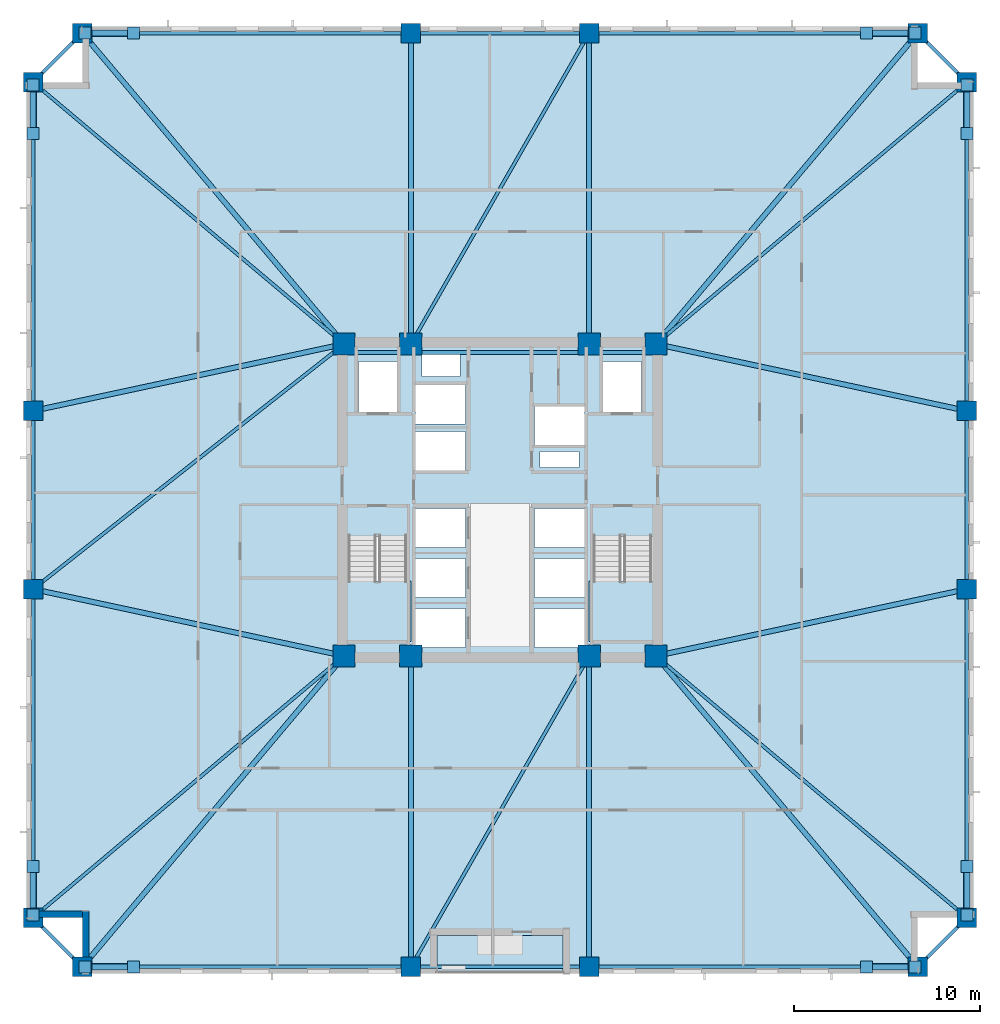
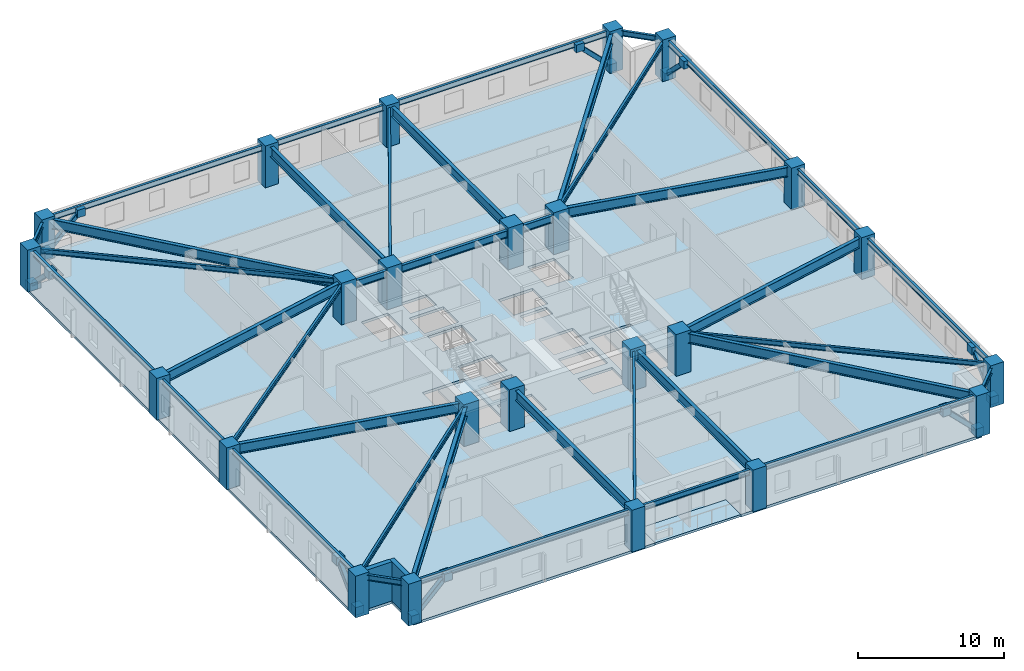
# One storey, part 1 of 11: 38 beams, 24 columns, 16 plates, 8 members, 4 slabs, 2 walls, 2 elements without a shape of their own.
"""IFC4 building model written with IfcOpenShell, lengths in metres."""

from ifc_helpers import new_model, si_unit, direction, frame, frame_2d, origin, origin_2d, place, context, subcontext, project, spatial, polyline, rectangle, hollow_rectangle, i_section, outline, extrude, material, layer, layer_set, material_profile, profile_set, type_object, element, aggregate, save


model = new_model("IFC4")

# Units and contexts
model_context = context("Model", 3, precision=1e-05, world=origin(), true_north=direction((0.0, 1.0)))
body_context = subcontext(model_context, "Body", "Model", "MODEL_VIEW")
ifc_project = project(units=[si_unit("LENGTHUNIT", "METRE"), si_unit("AREAUNIT", "SQUARE_METRE"), si_unit("VOLUMEUNIT", "CUBIC_METRE"), si_unit("PLANEANGLEUNIT", "RADIAN"), si_unit("MASSUNIT", "GRAM", prefix="KILO")], contexts=[model_context])

# Site, building, storey
site_placement = place(None, origin())
site = spatial("IfcSite", under=ifc_project, at=site_placement, CompositionType="ELEMENT")
building_placement = place(site_placement, origin())
building = spatial("IfcBuilding", under=site, at=building_placement, Name="Cairnveth Concourse Tower", CompositionType="ELEMENT")
storey_placement = place(building_placement, frame((0.0, 0.0, 37.5)))
storey = spatial("IfcBuildingStorey", under=building, at=storey_placement, Name="L09", CompositionType="ELEMENT", Elevation=37.5)

# Columns
ifc_material_1 = material(Name="Concrete N80 (80 MPa)", Category="concrete")
ifc_material_profile_1 = material_profile(ifc_material_1, rectangle(XDim=1.199951171875, YDim=1.199951171875, at=origin_2d()), Name="RC-COL-1200x1200")
ifc_profile_set_1 = profile_set([ifc_material_profile_1], Name="Concrete N80 (80 MPa)")
column_type_1 = type_object("IfcColumnType", Name="CORE COLUMN 1200X1200", PredefinedType="COLUMN", material=ifc_profile_set_1)
for number, where, z_axis, x_axis, name in (
    (1, (43.60009765625, 30.60009765625, 0.0), (0.0, 0.0, 1.0), (1.0, 0.0, 0.0), "Column CC1 L09"),
    (2, (47.199951171875, 30.60009765625, 0.0), (0.0, 0.0, 1.0), (1.0, 0.0, 0.0), "Column CC2 L09"),
    (3, (56.800048828125, 30.60009765625, 0.0), (0.0, 0.0, 1.0), (1.0, 0.0, 0.0), "Column CC3 L09"),
    (4, (60.39990234375, 30.60009765625, 0.0), (0.0, 0.0, 1.0), (1.0, 0.0, 0.0), "Column CC4 L09"),
    (5, (43.60009765625, 47.39990234375, 0.0), (0.0, 0.0, 1.0), (1.0, 0.0, 0.0), "Column CC5 L09"),
    (6, (47.199951171875, 47.39990234375, 0.0), (0.0, 0.0, 1.0), (1.0, 0.0, 0.0), "Column CC6 L09"),
    (7, (56.800048828125, 47.39990234375, 0.0), (0.0, 0.0, 1.0), (1.0, 0.0, 0.0), "Column CC7 L09"),
    (8, (60.39990234375, 47.39990234375, 0.0), (0.0, 0.0, 1.0), (1.0, 0.0, 0.0), "Column CC8 L09"),
):
    element("IfcColumn", number, at=place(storey_placement, frame(where, z_axis=z_axis, x_axis=x_axis)), inside=storey, type_object=column_type_1, Name=name, PredefinedType="COLUMN", context=body_context, shape_type="SweptSolid", body=[
        extrude(rectangle(XDim=1.199951171875, YDim=1.199951171875, at=origin_2d()), origin(), (0.0, 0.0, 1.0), 3.5),
    ])
ifc_material_2 = material(Name="Concrete N65 (65 MPa)", Category="concrete")
ifc_material_profile_2 = material_profile(ifc_material_2, rectangle(XDim=1.050048828125, YDim=1.050048828125, at=origin_2d()), Name="RC-COL-1050x1050")
ifc_profile_set_2 = profile_set([ifc_material_profile_2], Name="Concrete N65 (65 MPa)")
column_type_2 = type_object("IfcColumnType", Name="PERIMETER PIER COLUMN 1050X1050", PredefinedType="COLUMN", material=ifc_profile_set_2)
for number, where, z_axis, x_axis, name in (
    (9, (29.5, 13.85009765625, 0.0), (0.0, 0.0, 1.0), (1.0, 0.0, 0.0), "Column P-S1 L09"),
    (10, (47.199951171875, 13.85009765625, 0.0), (0.0, 0.0, 1.0), (1.0, 0.0, 0.0), "Column P-S2 L09"),
    (11, (56.800048828125, 13.85009765625, 0.0), (0.0, 0.0, 1.0), (1.0, 0.0, 0.0), "Column P-S3 L09"),
    (12, (74.5, 13.85009765625, 0.0), (0.0, 0.0, 1.0), (1.0, 0.0, 0.0), "Column P-S4 L09"),
    (13, (77.14990234375, 16.5, 0.0), (0.0, 0.0, 1.0), (0.0, 1.0, 0.0), "Column P-E1 L09"),
    (14, (77.14990234375, 34.199951171875, 0.0), (0.0, 0.0, 1.0), (0.0, 1.0, 0.0), "Column P-E2 L09"),
    (15, (77.14990234375, 43.800048828125, 0.0), (0.0, 0.0, 1.0), (0.0, 1.0, 0.0), "Column P-E3 L09"),
    (16, (77.14990234375, 61.5, 0.0), (0.0, 0.0, 1.0), (0.0, 1.0, 0.0), "Column P-E4 L09"),
    (17, (74.5, 64.14990234375, 0.0), (0.0, 0.0, 1.0), (1.0, 0.0, 0.0), "Column P-N1 L09"),
    (18, (56.800048828125, 64.14990234375, 0.0), (0.0, 0.0, 1.0), (1.0, 0.0, 0.0), "Column P-N2 L09"),
    (19, (47.199951171875, 64.14990234375, 0.0), (0.0, 0.0, 1.0), (1.0, 0.0, 0.0), "Column P-N3 L09"),
    (20, (29.5, 64.14990234375, 0.0), (0.0, 0.0, 1.0), (1.0, 0.0, 0.0), "Column P-N4 L09"),
    (21, (26.85009765625, 61.5, 0.0), (0.0, 0.0, 1.0), (0.0, 1.0, 0.0), "Column P-W1 L09"),
    (22, (26.85009765625, 43.800048828125, 0.0), (0.0, 0.0, 1.0), (0.0, 1.0, 0.0), "Column P-W2 L09"),
    (23, (26.85009765625, 34.199951171875, 0.0), (0.0, 0.0, 1.0), (0.0, 1.0, 0.0), "Column P-W3 L09"),
    (24, (26.85009765625, 16.5, 0.0), (0.0, 0.0, 1.0), (0.0, 1.0, 0.0), "Column P-W4 L09"),
):
    element("IfcColumn", number, at=place(storey_placement, frame(where, z_axis=z_axis, x_axis=x_axis)), inside=storey, type_object=column_type_2, Name=name, PredefinedType="COLUMN", context=body_context, shape_type="SweptSolid", body=[
        extrude(rectangle(XDim=1.050048828125, YDim=1.050048828125, at=origin_2d()), origin(), (0.0, 0.0, 1.0), 3.5),
    ])

# Beams
ifc_material_3 = material(Name="Steel Grade 350", Category="steel")
ifc_material_profile_3 = material_profile(ifc_material_3, i_section(OverallWidth=0.22802734375, OverallDepth=0.60693359375, WebThickness=0.01123046875, FlangeThickness=0.017333984375, FilletRadius=0.013916015625, at=origin_2d()), Name="610UB113")
ifc_profile_set_3 = profile_set([ifc_material_profile_3], Name="Steel Grade 350")
beam_type_1 = type_object("IfcBeamType", Name="CORE TIE BEAM 610UB113", PredefinedType="T_BEAM", material=ifc_profile_set_3)
for number, where, z_axis, x_axis, name in (
    (25, (43.60009765625, 46.949951171875, 2.9765625), (1.0, 0.0, 0.0), (0.0, 1.0, 0.0), "Beam CT-N1 L09"),
    (26, (56.800048828125, 46.949951171875, 2.9765625), (1.0, 0.0, 0.0), (0.0, 1.0, 0.0), "Beam CT-N3 L09"),
):
    element("IfcBeam", number, at=place(storey_placement, frame(where, z_axis=z_axis, x_axis=x_axis)), inside=storey, type_object=beam_type_1, Name=name, PredefinedType="T_BEAM", context=body_context, shape_type="SweptSolid", body=[
        extrude(i_section(OverallWidth=0.22802734375, OverallDepth=0.60693359375, WebThickness=0.01123046875, FlangeThickness=0.017333984375, FilletRadius=0.013916015625, at=origin_2d()), origin(), (0.0, 0.0, 1.0), 3.599853515625),
    ])
beam_1_placement = place(storey_placement, frame((47.199951171875, 46.949951171875, 2.9765625), z_axis=(1.0, 0.0, 0.0), x_axis=(0.0, 1.0, 0.0)))
element("IfcBeam", 27, at=beam_1_placement, inside=storey, type_object=beam_type_1, Name="Beam CT-N2 L09", PredefinedType="T_BEAM", context=body_context, shape_type="SweptSolid", body=[
    extrude(i_section(OverallWidth=0.22802734375, OverallDepth=0.60693359375, WebThickness=0.01123046875, FlangeThickness=0.017333984375, FilletRadius=0.013916015625, at=origin_2d()), origin(), (0.0, 0.0, 1.0), 9.60009765625),
])
ifc_material_profile_4 = material_profile(ifc_material_3, i_section(OverallWidth=0.177978515625, OverallDepth=0.406005859375, WebThickness=0.0078125, FlangeThickness=0.0126953125, FilletRadius=0.010986328125, at=origin_2d()), Name="410UB59.7")
ifc_profile_set_4 = profile_set([ifc_material_profile_4], Name="Steel Grade 350")
beam_type_2 = type_object("IfcBeamType", Name="ZONE 1 FLOOR JOIST 410UB59.7", PredefinedType="JOIST", material=ifc_profile_set_4)
for number, where, z_axis, x_axis, name in (
    (28, (26.85009765625, 16.5, 3.076904296875), (0.765027427674, 0.643997697905, 0.0), (-0.643997697905, 0.765027427674, 0.0), "Beam FJ-CSW2 L09"),
    (29, (77.14990234375, 16.5, 3.076904296875), (-0.765027427674, 0.643997697905, 0.0), (-0.643997697905, -0.765027427674, 0.0), "Beam FJ-CSE2 L09"),
    (30, (77.14990234375, 61.5, 3.076904296875), (-0.765027427674, -0.643997697905, 0.0), (0.643997697905, -0.765027427674, 0.0), "Beam FJ-CNE2 L09"),
    (31, (26.85009765625, 61.5, 3.076904296875), (0.765027427674, -0.643997697905, 0.0), (0.643997697905, 0.765027427674, 0.0), "Beam FJ-CNW2 L09"),
):
    element("IfcBeam", number, at=place(storey_placement, frame(where, z_axis=z_axis, x_axis=x_axis)), inside=storey, type_object=beam_type_2, Name=name, PredefinedType="JOIST", context=body_context, shape_type="SweptSolid", body=[
        extrude(i_section(OverallWidth=0.177978515625, OverallDepth=0.406005859375, WebThickness=0.0078125, FlangeThickness=0.0126953125, FilletRadius=0.010986328125, at=origin_2d()), origin(), (0.0, 0.0, 1.0), 21.89453125),
    ])
for number, where, z_axis, x_axis, name in (
    (32, (47.199951171875, 13.85009765625, 3.076904296875), (0.497257970706, 0.86760273776, 0.0), (-0.86760273776, 0.497257970706, 0.0), "Beam FJ-S-M1 L09"),
    (33, (47.199951171875, 47.39990234375, 3.076904296875), (0.497257970706, 0.86760273776, 0.0), (-0.86760273776, 0.497257970706, 0.0), "Beam FJ-N-M1 L09"),
):
    element("IfcBeam", number, at=place(storey_placement, frame(where, z_axis=z_axis, x_axis=x_axis)), inside=storey, type_object=beam_type_2, Name=name, PredefinedType="JOIST", context=body_context, shape_type="SweptSolid", body=[
        extrude(i_section(OverallWidth=0.177978515625, OverallDepth=0.406005859375, WebThickness=0.0078125, FlangeThickness=0.0126953125, FilletRadius=0.010986328125, at=origin_2d()), origin(), (0.0, 0.0, 1.0), 19.30615234375),
    ])
beam_2_placement = place(storey_placement, frame((26.85009765625, 34.199951171875, 3.076904296875), z_axis=(0.785423705995, 0.618958481694, 0.0), x_axis=(-0.618958481694, 0.785423705995, 0.0)))
element("IfcBeam", 34, at=beam_2_placement, inside=storey, type_object=beam_type_2, Name="Beam FJ-W-M1 L09", PredefinedType="JOIST", context=body_context, shape_type="SweptSolid", body=[
    extrude(i_section(OverallWidth=0.177978515625, OverallDepth=0.406005859375, WebThickness=0.0078125, FlangeThickness=0.0126953125, FilletRadius=0.010986328125, at=origin_2d()), origin(), (0.0, 0.0, 1.0), 21.326171875),
])

# Members
ifc_material_4 = material(Name="Steel C350L0 (350 MPa)", Category="steel")
ifc_material_profile_5 = material_profile(ifc_material_4, hollow_rectangle(XDim=0.35009765625, YDim=0.35009765625, WallThickness=0.01611328125, InnerFilletRadius=0.01611328125, OuterFilletRadius=0.031982421875, at=origin_2d()), Name="350x350x16.0SHS")
ifc_profile_set_5 = profile_set([ifc_material_profile_5], Name="Steel C350L0 (350 MPa)")
member_type = type_object("IfcMemberType", Name="ZONE 1 PIER BRACE 350X350X16SHS", PredefinedType="BRACE", material=ifc_profile_set_5)
for number, where, z_axis, x_axis, name in (
    (35, (29.64990234375, 13.85009765625, 0.25), (0.709834195787, 0.0, 0.704368805735), (0.0, 1.0, 0.0), "Structural Brace PB-S1 L09"),
    (36, (74.35009765625, 13.85009765625, 0.25), (-0.709834195787, 0.0, 0.704368805735), (0.0, -1.0, 0.0), "Structural Brace PB-S2 L09"),
    (37, (29.64990234375, 64.14990234375, 0.25), (0.709834195787, 0.0, 0.704368805735), (0.0, 1.0, 0.0), "Structural Brace PB-N1 L09"),
    (38, (74.35009765625, 64.14990234375, 0.25), (-0.709834195787, 0.0, 0.704368805735), (0.0, -1.0, 0.0), "Structural Brace PB-N2 L09"),
    (39, (26.85009765625, 16.64990234375, 0.25), (0.0, 0.709834195787, 0.704368805735), (-1.0, 0.0, 0.0), "Structural Brace PB-W1 L09"),
    (40, (26.85009765625, 61.35009765625, 0.25), (0.0, -0.709834195787, 0.704368805735), (1.0, 0.0, 0.0), "Structural Brace PB-W2 L09"),
    (41, (77.14990234375, 16.64990234375, 0.25), (0.0, 0.709834195787, 0.704368805735), (-1.0, 0.0, 0.0), "Structural Brace PB-E1 L09"),
    (42, (77.14990234375, 61.35009765625, 0.25), (0.0, -0.709834195787, 0.704368805735), (1.0, 0.0, 0.0), "Structural Brace PB-E2 L09"),
):
    element("IfcMember", number, at=place(storey_placement, frame(where, z_axis=z_axis, x_axis=x_axis)), inside=storey, type_object=member_type, Name=name, PredefinedType="BRACE", context=body_context, shape_type="SweptSolid", body=[
        extrude(hollow_rectangle(XDim=0.35009765625, YDim=0.35009765625, WallThickness=0.01611328125, InnerFilletRadius=0.01611328125, OuterFilletRadius=0.031982421875, at=origin_2d()), origin(), (0.0, 0.0, 1.0), 3.6630859375),
    ])

# Beams
ifc_material_profile_6 = material_profile(ifc_material_3, i_section(OverallWidth=0.27490234375, OverallDepth=0.81591796875, WebThickness=0.011962890625, FlangeThickness=0.028076171875, at=origin_2d()), Name="800WB192")
ifc_profile_set_6 = profile_set([ifc_material_profile_6], Name="Steel Grade 350")
beam_type_3 = type_object("IfcBeamType", Name="ZONE 1 RADIAL GIRDER 800WB192", PredefinedType="BEAM", material=ifc_profile_set_6)
for number, where, z_axis, x_axis, name in (
    (43, (47.199951171875, 13.85009765625, 2.8720703125), (0.0, 1.0, 0.0), (-1.0, 0.0, 0.0), "Beam RG-S1 L09"),
    (44, (56.800048828125, 13.85009765625, 2.8720703125), (0.0, 1.0, 0.0), (-1.0, 0.0, 0.0), "Beam RG-S2 L09"),
    (45, (47.199951171875, 47.39990234375, 2.8720703125), (0.0, 1.0, 0.0), (-1.0, 0.0, 0.0), "Beam RG-N1 L09"),
    (46, (56.800048828125, 47.39990234375, 2.8720703125), (0.0, 1.0, 0.0), (-1.0, 0.0, 0.0), "Beam RG-N2 L09"),
):
    element("IfcBeam", number, at=place(storey_placement, frame(where, z_axis=z_axis, x_axis=x_axis)), inside=storey, type_object=beam_type_3, Name=name, PredefinedType="BEAM", context=body_context, shape_type="SweptSolid", body=[
        extrude(i_section(OverallWidth=0.27490234375, OverallDepth=0.81591796875, WebThickness=0.011962890625, FlangeThickness=0.028076171875, at=origin_2d()), origin(), (0.0, 0.0, 1.0), 16.75),
    ])
for number, where, z_axis, x_axis, name in (
    (47, (26.85009765625, 34.199951171875, 2.8720703125), (0.977675861524, -0.210118799239, 0.0), (0.210118799239, 0.977675861524, 0.0), "Beam RG-W1 L09"),
    (48, (26.85009765625, 43.800048828125, 2.8720703125), (0.977675861524, 0.210118799239, 0.0), (-0.210118799239, 0.977675861524, 0.0), "Beam RG-W2 L09"),
    (49, (60.39990234375, 30.60009765625, 2.8720703125), (0.977675861524, 0.210118799239, 0.0), (-0.210118799239, 0.977675861524, 0.0), "Beam RG-E1 L09"),
    (50, (60.39990234375, 47.39990234375, 2.8720703125), (0.977675861524, -0.210118799239, 0.0), (0.210118799239, 0.977675861524, 0.0), "Beam RG-E2 L09"),
):
    element("IfcBeam", number, at=place(storey_placement, frame(where, z_axis=z_axis, x_axis=x_axis)), inside=storey, type_object=beam_type_3, Name=name, PredefinedType="BEAM", context=body_context, shape_type="SweptSolid", body=[
        extrude(i_section(OverallWidth=0.27490234375, OverallDepth=0.81591796875, WebThickness=0.011962890625, FlangeThickness=0.028076171875, at=origin_2d()), origin(), (0.0, 0.0, 1.0), 17.132568359375),
    ])
for number, where, z_axis, x_axis, name in (
    (51, (29.5, 13.85009765625, 2.8720703125), (0.643997697905, 0.765027427674, 0.0), (-0.765027427674, 0.643997697905, 0.0), "Beam RG-CSW L09"),
    (52, (74.5, 13.85009765625, 2.8720703125), (-0.643997697905, 0.765027427674, 0.0), (-0.765027427674, -0.643997697905, 0.0), "Beam RG-CSE L09"),
    (53, (74.5, 64.14990234375, 2.8720703125), (-0.643997697905, -0.765027427674, 0.0), (0.765027427674, -0.643997697905, 0.0), "Beam RG-CNE L09"),
    (54, (29.5, 64.14990234375, 2.8720703125), (0.643997697905, -0.765027427674, 0.0), (0.765027427674, 0.643997697905, 0.0), "Beam RG-CNW L09"),
):
    element("IfcBeam", number, at=place(storey_placement, frame(where, z_axis=z_axis, x_axis=x_axis)), inside=storey, type_object=beam_type_3, Name=name, PredefinedType="BEAM", context=body_context, shape_type="SweptSolid", body=[
        extrude(i_section(OverallWidth=0.27490234375, OverallDepth=0.81591796875, WebThickness=0.011962890625, FlangeThickness=0.028076171875, at=origin_2d()), origin(), (0.0, 0.0, 1.0), 21.89453125),
    ])
ifc_material_profile_7 = material_profile(ifc_material_3, i_section(OverallWidth=0.19091796875, OverallDepth=0.4599609375, WebThickness=0.010009765625, FlangeThickness=0.01611328125, FilletRadius=0.010986328125, at=origin_2d()), Name="460UB82.1")
ifc_profile_set_7 = profile_set([ifc_material_profile_7], Name="Steel Grade 350")
beam_type_4 = type_object("IfcBeamType", Name="ZONE 1 SPANDREL BEAM 460UB82.1", PredefinedType="SPANDREL", material=ifc_profile_set_7)
beam_3_placement = place(storey_placement, frame((29.5, 13.85009765625, 3.050048828125), z_axis=(1.0, 0.0, 0.0), x_axis=(0.0, 1.0, 0.0)))
element("IfcBeam", 55, at=beam_3_placement, inside=storey, type_object=beam_type_4, Name="Beam SP-S1 L09", PredefinedType="SPANDREL", context=body_context, shape_type="SweptSolid", body=[
    extrude(i_section(OverallWidth=0.19091796875, OverallDepth=0.4599609375, WebThickness=0.010009765625, FlangeThickness=0.01611328125, FilletRadius=0.010986328125, at=origin_2d()), origin(), (0.0, 0.0, 1.0), 17.699951171875),
])
beam_4_placement = place(storey_placement, frame((47.199951171875, 13.85009765625, 3.050048828125), z_axis=(1.0, 0.0, 0.0), x_axis=(0.0, 1.0, 0.0)))
element("IfcBeam", 56, at=beam_4_placement, inside=storey, type_object=beam_type_4, Name="Beam SP-S2 L09", PredefinedType="SPANDREL", context=body_context, shape_type="SweptSolid", body=[
    extrude(i_section(OverallWidth=0.19091796875, OverallDepth=0.4599609375, WebThickness=0.010009765625, FlangeThickness=0.01611328125, FilletRadius=0.010986328125, at=origin_2d()), origin(), (0.0, 0.0, 1.0), 9.60009765625),
])
for number, where, z_axis, x_axis, name in (
    (57, (56.800048828125, 13.85009765625, 3.050048828125), (1.0, 0.0, 0.0), (0.0, 1.0, 0.0), "Beam SP-S3 L09"),
    (58, (29.5, 64.14990234375, 3.050048828125), (1.0, 0.0, 0.0), (0.0, 1.0, 0.0), "Beam SP-N1 L09"),
):
    element("IfcBeam", number, at=place(storey_placement, frame(where, z_axis=z_axis, x_axis=x_axis)), inside=storey, type_object=beam_type_4, Name=name, PredefinedType="SPANDREL", context=body_context, shape_type="SweptSolid", body=[
        extrude(i_section(OverallWidth=0.19091796875, OverallDepth=0.4599609375, WebThickness=0.010009765625, FlangeThickness=0.01611328125, FilletRadius=0.010986328125, at=origin_2d()), origin(), (0.0, 0.0, 1.0), 17.699951171875),
    ])
beam_5_placement = place(storey_placement, frame((47.199951171875, 64.14990234375, 3.050048828125), z_axis=(1.0, 0.0, 0.0), x_axis=(0.0, 1.0, 0.0)))
element("IfcBeam", 59, at=beam_5_placement, inside=storey, type_object=beam_type_4, Name="Beam SP-N2 L09", PredefinedType="SPANDREL", context=body_context, shape_type="SweptSolid", body=[
    extrude(i_section(OverallWidth=0.19091796875, OverallDepth=0.4599609375, WebThickness=0.010009765625, FlangeThickness=0.01611328125, FilletRadius=0.010986328125, at=origin_2d()), origin(), (0.0, 0.0, 1.0), 9.60009765625),
])
for number, where, z_axis, x_axis, name in (
    (60, (56.800048828125, 64.14990234375, 3.050048828125), (1.0, 0.0, 0.0), (0.0, 1.0, 0.0), "Beam SP-N3 L09"),
    (61, (26.85009765625, 16.5, 3.050048828125), (0.0, 1.0, 0.0), (-1.0, 0.0, 0.0), "Beam SP-W1 L09"),
):
    element("IfcBeam", number, at=place(storey_placement, frame(where, z_axis=z_axis, x_axis=x_axis)), inside=storey, type_object=beam_type_4, Name=name, PredefinedType="SPANDREL", context=body_context, shape_type="SweptSolid", body=[
        extrude(i_section(OverallWidth=0.19091796875, OverallDepth=0.4599609375, WebThickness=0.010009765625, FlangeThickness=0.01611328125, FilletRadius=0.010986328125, at=origin_2d()), origin(), (0.0, 0.0, 1.0), 17.699951171875),
    ])
beam_6_placement = place(storey_placement, frame((26.85009765625, 34.199951171875, 3.050048828125), z_axis=(0.0, 1.0, 0.0), x_axis=(-1.0, 0.0, 0.0)))
element("IfcBeam", 62, at=beam_6_placement, inside=storey, type_object=beam_type_4, Name="Beam SP-W2 L09", PredefinedType="SPANDREL", context=body_context, shape_type="SweptSolid", body=[
    extrude(i_section(OverallWidth=0.19091796875, OverallDepth=0.4599609375, WebThickness=0.010009765625, FlangeThickness=0.01611328125, FilletRadius=0.010986328125, at=origin_2d()), origin(), (0.0, 0.0, 1.0), 9.60009765625),
])
for number, where, z_axis, x_axis, name in (
    (63, (26.85009765625, 43.800048828125, 3.050048828125), (0.0, 1.0, 0.0), (-1.0, 0.0, 0.0), "Beam SP-W3 L09"),
    (64, (77.14990234375, 16.5, 3.050048828125), (0.0, 1.0, 0.0), (-1.0, 0.0, 0.0), "Beam SP-E1 L09"),
):
    element("IfcBeam", number, at=place(storey_placement, frame(where, z_axis=z_axis, x_axis=x_axis)), inside=storey, type_object=beam_type_4, Name=name, PredefinedType="SPANDREL", context=body_context, shape_type="SweptSolid", body=[
        extrude(i_section(OverallWidth=0.19091796875, OverallDepth=0.4599609375, WebThickness=0.010009765625, FlangeThickness=0.01611328125, FilletRadius=0.010986328125, at=origin_2d()), origin(), (0.0, 0.0, 1.0), 17.699951171875),
    ])
beam_7_placement = place(storey_placement, frame((77.14990234375, 34.199951171875, 3.050048828125), z_axis=(0.0, 1.0, 0.0), x_axis=(-1.0, 0.0, 0.0)))
element("IfcBeam", 65, at=beam_7_placement, inside=storey, type_object=beam_type_4, Name="Beam SP-E2 L09", PredefinedType="SPANDREL", context=body_context, shape_type="SweptSolid", body=[
    extrude(i_section(OverallWidth=0.19091796875, OverallDepth=0.4599609375, WebThickness=0.010009765625, FlangeThickness=0.01611328125, FilletRadius=0.010986328125, at=origin_2d()), origin(), (0.0, 0.0, 1.0), 9.60009765625),
])
beam_8_placement = place(storey_placement, frame((77.14990234375, 43.800048828125, 3.050048828125), z_axis=(0.0, 1.0, 0.0), x_axis=(-1.0, 0.0, 0.0)))
element("IfcBeam", 66, at=beam_8_placement, inside=storey, type_object=beam_type_4, Name="Beam SP-E3 L09", PredefinedType="SPANDREL", context=body_context, shape_type="SweptSolid", body=[
    extrude(i_section(OverallWidth=0.19091796875, OverallDepth=0.4599609375, WebThickness=0.010009765625, FlangeThickness=0.01611328125, FilletRadius=0.010986328125, at=origin_2d()), origin(), (0.0, 0.0, 1.0), 17.699951171875),
])
for number, where, z_axis, x_axis, name in (
    (67, (26.85009765625, 16.5, 3.050048828125), (0.707106781187, -0.707106781187, 0.0), (0.707106781187, 0.707106781187, 0.0), "Beam SP-SW L09"),
    (68, (74.5, 13.85009765625, 3.050048828125), (0.707106781187, 0.707106781187, 0.0), (-0.707106781187, 0.707106781187, 0.0), "Beam SP-SE L09"),
    (69, (74.5, 64.14990234375, 3.050048828125), (0.707106781187, -0.707106781187, 0.0), (0.707106781187, 0.707106781187, 0.0), "Beam SP-NE L09"),
    (70, (26.85009765625, 61.5, 3.050048828125), (0.707106781187, 0.707106781187, 0.0), (-0.707106781187, 0.707106781187, 0.0), "Beam SP-NW L09"),
):
    element("IfcBeam", number, at=place(storey_placement, frame(where, z_axis=z_axis, x_axis=x_axis)), inside=storey, type_object=beam_type_4, Name=name, PredefinedType="SPANDREL", context=body_context, shape_type="SweptSolid", body=[
        extrude(i_section(OverallWidth=0.19091796875, OverallDepth=0.4599609375, WebThickness=0.010009765625, FlangeThickness=0.01611328125, FilletRadius=0.010986328125, at=origin_2d()), origin(), (0.0, 0.0, 1.0), 3.74755859375),
    ])

# Slab
ifc_material_5 = material(Name="Concrete N50 (50 MPa)", Category="concrete")
ifc_layer_1 = layer(ifc_material_5, 0.219970703125)
ifc_layer_set_1 = layer_set([ifc_layer_1], Name="Concrete N50 (50 MPa)")
slab_type_1 = type_object("IfcSlabType", Name="LOWER TOWER COMPOSITE SLAB 220", PredefinedType="FLOOR", material=ifc_layer_set_1)
slab_1_placement = place(storey_placement, frame((0.0, 0.0, -0.219970703125)))
element("IfcSlab", 71, at=slab_1_placement, inside=storey, type_object=slab_type_1, Name="Tower Floor Slab L09", PredefinedType="FLOOR", context=body_context, shape_type="SweptSolid", body=[
    extrude(outline(polyline([(48.60009765625, 13.5), (48.60009765625, 15.550048828125), (55.39990234375, 15.550048828125), (55.39990234375, 13.5), (74.5, 13.5), (74.5, 16.5), (77.5, 16.5), (77.5, 61.5), (74.5, 61.5), (74.5, 64.5), (29.5, 64.5), (29.5, 61.5), (26.5, 61.5), (26.5, 16.5), (29.5, 16.5), (29.5, 13.5), (48.60009765625, 13.5)]), holes=[polyline([(43.760009765625, 31.360107421875), (47.06005859375, 31.360107421875), (47.06005859375, 37.0400390625), (43.760009765625, 37.0400390625), (43.760009765625, 31.360107421875)]), polyline([(56.93994140625, 31.360107421875), (60.239990234375, 31.360107421875), (60.239990234375, 37.0400390625), (56.93994140625, 37.0400390625), (56.93994140625, 31.360107421875)]), polyline([(44.3701171875, 43.75), (46.469970703125, 43.75), (46.469970703125, 46.449951171875), (44.3701171875, 46.449951171875), (44.3701171875, 43.75)]), polyline([(57.530029296875, 43.75), (59.6298828125, 43.75), (59.6298828125, 46.449951171875), (57.530029296875, 46.449951171875), (57.530029296875, 43.75)]), polyline([(47.449951171875, 31.050048828125), (50.14990234375, 31.050048828125), (50.14990234375, 33.14990234375), (47.449951171875, 33.14990234375), (47.449951171875, 31.050048828125)]), polyline([(47.449951171875, 33.75), (50.14990234375, 33.75), (50.14990234375, 35.85009765625), (47.449951171875, 35.85009765625), (47.449951171875, 33.75)]), polyline([(47.449951171875, 36.449951171875), (50.14990234375, 36.449951171875), (50.14990234375, 38.550048828125), (47.449951171875, 38.550048828125), (47.449951171875, 36.449951171875)]), polyline([(53.85009765625, 31.050048828125), (56.550048828125, 31.050048828125), (56.550048828125, 33.14990234375), (53.85009765625, 33.14990234375), (53.85009765625, 31.050048828125)]), polyline([(53.85009765625, 33.75), (56.550048828125, 33.75), (56.550048828125, 35.85009765625), (53.85009765625, 35.85009765625), (53.85009765625, 33.75)]), polyline([(53.85009765625, 36.449951171875), (56.550048828125, 36.449951171875), (56.550048828125, 38.550048828125), (53.85009765625, 38.550048828125), (53.85009765625, 36.449951171875)]), polyline([(47.449951171875, 40.60009765625), (50.14990234375, 40.60009765625), (50.14990234375, 42.699951171875), (47.449951171875, 42.699951171875), (47.449951171875, 40.60009765625)]), polyline([(47.449951171875, 43.10009765625), (50.14990234375, 43.10009765625), (50.14990234375, 45.199951171875), (47.449951171875, 45.199951171875), (47.449951171875, 43.10009765625)]), polyline([(53.85009765625, 41.949951171875), (56.550048828125, 41.949951171875), (56.550048828125, 44.050048828125), (53.85009765625, 44.050048828125), (53.85009765625, 41.949951171875)]), polyline([(47.800048828125, 45.64990234375), (49.85009765625, 45.64990234375), (49.85009765625, 47.050048828125), (47.800048828125, 47.050048828125), (47.800048828125, 45.64990234375)]), polyline([(54.14990234375, 40.75), (56.25, 40.75), (56.25, 41.6201171875), (54.14990234375, 41.6201171875), (54.14990234375, 40.75)])]), origin(), (0.0, 0.0, 1.0), 0.219970703125),
])

# Plates
ifc_layer_2 = layer(ifc_material_3, 0.031982421875)
ifc_layer_set_2 = layer_set([ifc_layer_2], Name="Steel Grade 350")
plate_type = type_object("IfcPlateType", Name="PERIMETER BRACE GUSSET PLATE 32", PredefinedType="USERDEFINED", material=ifc_layer_set_2)
for number, where, z_axis, x_axis, name in (
    (72, (29.64990234375, 13.85009765625, -0.06982421875), (0.0, 0.0, 1.0), (1.0, 0.0, 0.0), "Structural Node Plate 0125 L09"),
    (73, (32.25, 13.85009765625, 2.51025390625), (0.0, 0.0, 1.0), (1.0, 0.0, 0.0), "Structural Node Plate 0126 L09"),
    (74, (74.35009765625, 13.85009765625, -0.06982421875), (0.0, 0.0, 1.0), (1.0, 0.0, 0.0), "Structural Node Plate 0127 L09"),
    (75, (71.75, 13.85009765625, 2.51025390625), (0.0, 0.0, 1.0), (1.0, 0.0, 0.0), "Structural Node Plate 0128 L09"),
    (76, (29.64990234375, 64.14990234375, -0.06982421875), (0.0, 0.0, 1.0), (1.0, 0.0, 0.0), "Structural Node Plate 0129 L09"),
    (77, (32.25, 64.14990234375, 2.51025390625), (0.0, 0.0, 1.0), (1.0, 0.0, 0.0), "Structural Node Plate 0130 L09"),
    (78, (74.35009765625, 64.14990234375, -0.06982421875), (0.0, 0.0, 1.0), (1.0, 0.0, 0.0), "Structural Node Plate 0131 L09"),
    (79, (71.75, 64.14990234375, 2.51025390625), (0.0, 0.0, 1.0), (1.0, 0.0, 0.0), "Structural Node Plate 0132 L09"),
    (80, (26.85009765625, 16.64990234375, -0.06982421875), (0.0, 0.0, 1.0), (1.0, 0.0, 0.0), "Structural Node Plate 0133 L09"),
    (81, (26.85009765625, 19.25, 2.51025390625), (0.0, 0.0, 1.0), (1.0, 0.0, 0.0), "Structural Node Plate 0134 L09"),
    (82, (26.85009765625, 61.35009765625, -0.06982421875), (0.0, 0.0, 1.0), (1.0, 0.0, 0.0), "Structural Node Plate 0135 L09"),
    (83, (26.85009765625, 58.75, 2.51025390625), (0.0, 0.0, 1.0), (1.0, 0.0, 0.0), "Structural Node Plate 0136 L09"),
    (84, (77.14990234375, 16.64990234375, -0.06982421875), (0.0, 0.0, 1.0), (1.0, 0.0, 0.0), "Structural Node Plate 0137 L09"),
    (85, (77.14990234375, 19.25, 2.51025390625), (0.0, 0.0, 1.0), (1.0, 0.0, 0.0), "Structural Node Plate 0138 L09"),
    (86, (77.14990234375, 61.35009765625, -0.06982421875), (0.0, 0.0, 1.0), (1.0, 0.0, 0.0), "Structural Node Plate 0139 L09"),
    (87, (77.14990234375, 58.75, 2.51025390625), (0.0, 0.0, 1.0), (1.0, 0.0, 0.0), "Structural Node Plate 0140 L09"),
):
    element("IfcPlate", number, at=place(storey_placement, frame(where, z_axis=z_axis, x_axis=x_axis)), inside=storey, type_object=plate_type, Name=name, ObjectType="GUSSET PLATE", PredefinedType="USERDEFINED", context=body_context, shape_type="SweptSolid", body=[
        extrude(rectangle(XDim=0.639892578125, YDim=0.639892578125, at=origin_2d()), origin(), (0.0, 0.0, 1.0), 0.639892578125),
    ])

# Slab
ifc_layer_3 = layer(ifc_material_5, 0.18994140625)
ifc_layer_set_3 = layer_set([ifc_layer_3], Name="Concrete N50 (50 MPa)")
slab_type_2 = type_object("IfcSlabType", Name="SPIRAL OUTDOOR TERRACE SLAB 190", PredefinedType="FLOOR", material=ifc_layer_set_3)
slab_2_placement = place(storey_placement, frame((0.0, 0.0, -0.18994140625)))
element("IfcSlab", 88, at=slab_2_placement, inside=storey, type_object=slab_type_2, Name="Spiral Terrace Slab L09", PredefinedType="FLOOR", context=body_context, shape_type="SweptSolid", body=[
    extrude(outline(polyline([(48.60009765625, 13.5), (55.39990234375, 13.5), (55.39990234375, 15.550048828125), (48.60009765625, 15.550048828125), (48.60009765625, 13.5)])), origin(), (0.0, 0.0, 1.0), 0.18994140625),
])

# Stair, slab
ifc_material_6 = material(Name="Precast concrete N50 (50 MPa)", Category="concrete")
stair_type = type_object("IfcStairType", Name="CORE DOG-LEG FIRE STAIR 1500", PredefinedType="HALF_TURN_STAIR", material=ifc_material_6)
stair_1_placement = place(storey_placement, origin())
stair_1 = element("IfcStair", 89, at=stair_1_placement, inside=storey, type_object=stair_type, Name="L09 Fire-Isolated Stair ST-1", PredefinedType="HALF_TURN_STAIR")
ifc_layer_4 = layer(ifc_material_5, 0.199951171875)
ifc_layer_set_4 = layer_set([ifc_layer_4], Name="Concrete N50 (50 MPa)")
slab_type_3 = type_object("IfcSlabType", Name="STAIR HALF LANDING SLAB 200", PredefinedType="LANDING", material=ifc_layer_set_4)
slab_3_placement = place(storey_placement, frame((0.0, 0.0, 1.550048828125)))
slab_3 = element("IfcSlab", 90, at=slab_3_placement, type_object=slab_type_3, Name="ST-1 landing 1", PredefinedType="LANDING", context=body_context, shape_type="SweptSolid", body=[
    extrude(outline(polyline([(43.6201171875, 34.639892578125), (43.6201171875, 31.3701171875), (47.199951171875, 31.3701171875), (47.199951171875, 34.639892578125), (43.6201171875, 34.639892578125)])), origin(), (0.0, 0.0, 1.0), 0.199951171875),
])
aggregate(stair_1, [slab_3])

stair_2_placement = place(storey_placement, origin())
stair_2 = element("IfcStair", 91, at=stair_2_placement, inside=storey, type_object=stair_type, Name="L09 Fire-Isolated Stair ST-2", PredefinedType="HALF_TURN_STAIR")
slab_4_placement = place(storey_placement, frame((0.0, 0.0, 1.550048828125)))
slab_4 = element("IfcSlab", 92, at=slab_4_placement, type_object=slab_type_3, Name="ST-2 landing 1", PredefinedType="LANDING", context=body_context, shape_type="SweptSolid", body=[
    extrude(outline(polyline([(56.800048828125, 34.639892578125), (56.800048828125, 31.3701171875), (60.3798828125, 31.3701171875), (60.3798828125, 34.639892578125), (56.800048828125, 34.639892578125)])), origin(), (0.0, 0.0, 1.0), 0.199951171875),
])
aggregate(stair_2, [slab_4])

# Walls
ifc_material_7 = material(Name="Hawthorn Red-Ochre Fired Clay Brick Masonry", Category="masonry")
ifc_layer_5 = layer(ifc_material_7, 0.360107421875)
ifc_layer_set_5 = layer_set([ifc_layer_5], Name="Hawthorn Red-Ochre Fired Clay Brick Masonry")
wall_type = type_object("IfcWallType", Name="ZONE 1 BRICK PIER SPANDREL WALL 360", PredefinedType="SOLIDWALL", material=ifc_layer_set_5)
wall_1_placement = place(storey_placement, frame((29.679931640625, 13.5, 0.0), z_axis=(0.0, 0.0, 1.0), x_axis=(0.0, 1.0, 0.0)))
element("IfcWall", 93, at=wall_1_placement, inside=storey, type_object=wall_type, Name="Exterior Wall EW-L09-S01", PredefinedType="SOLIDWALL", context=body_context, shape_type="SweptSolid", body=[
    extrude(rectangle(XDim=3.360107421875, YDim=0.360107421875, at=frame_2d((1.68017578125, 0.0))), origin(), (0.0, 0.0, 1.0), 3.280029296875),
])
wall_2_placement = place(storey_placement, frame((29.52197265625, 16.679931640625, 0.0), z_axis=(0.0, 0.0, 1.0), x_axis=(-1.0, 0.0, 0.0)))
element("IfcWall", 94, at=wall_2_placement, inside=storey, type_object=wall_type, Name="Exterior Wall EW-L09-S02", PredefinedType="SOLIDWALL", context=body_context, shape_type="SweptSolid", body=[
    extrude(rectangle(XDim=2.68408203125, YDim=0.360107421875, at=frame_2d((1.342041015625, 0.0))), origin(), (0.0, 0.0, 1.0), 3.280029296875),
])

save(model, "model.ifc")
